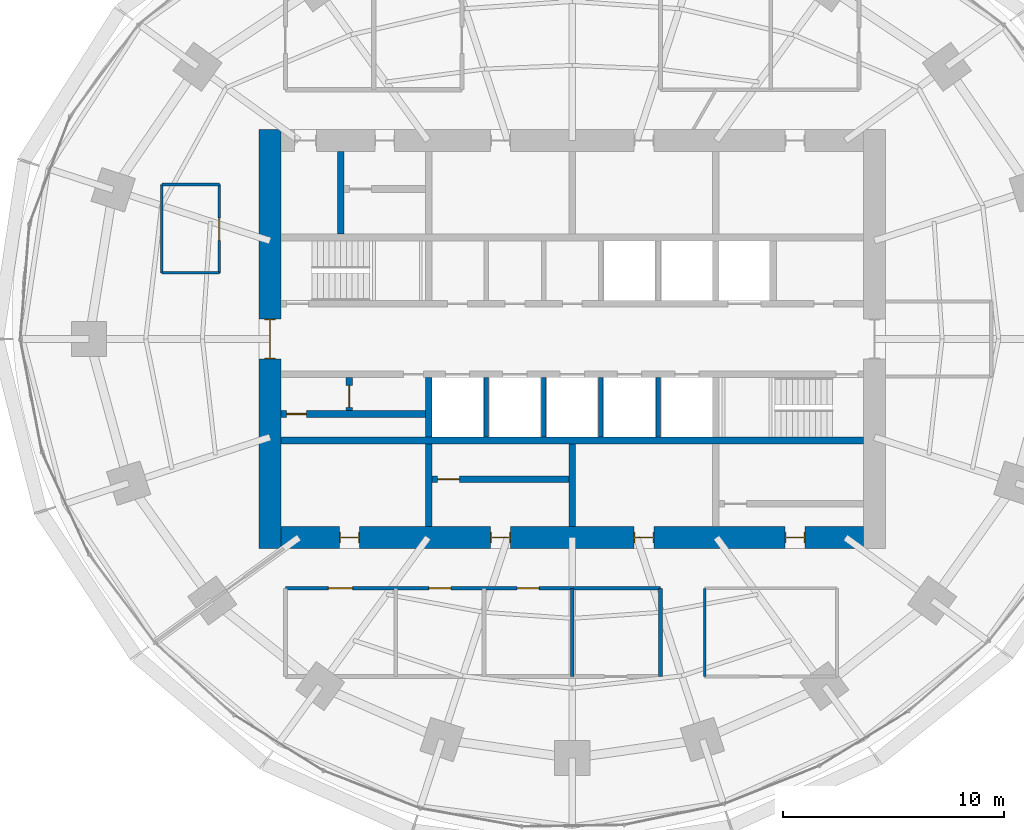
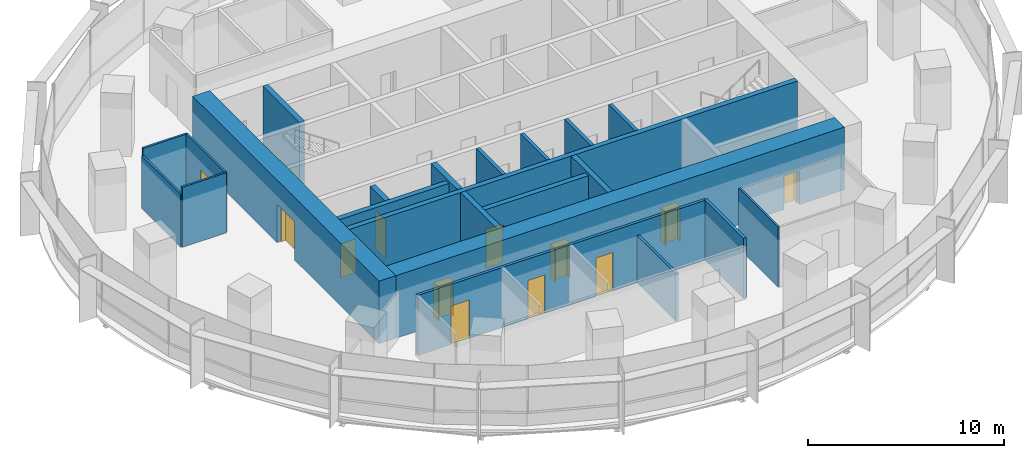
# One storey, part 10 of 14: 22 walls, 12 doors, 12 openings.
"""IFC4 building model written with IfcOpenShell, lengths in metres."""

import ifcopenshell
import ifcopenshell.guid

model = None  # the IFC model being written
_history = None  # IfcOwnerHistory: only IFC2X3 demands one
_inside = {}  # id of a spatial element -> (the spatial element, [elements in it])
_under = {}  # id of a project, library or spatial element -> (it, [spatial elements below it])
_declared = {}  # id of a project -> (the project, [libraries it declares])
_typed = {}  # id of a type object -> (the type object, [elements of that type])
_made_of = {}  # id of a material, layer set ... -> (it, [elements and type objects made of it])


def new_model(schema):
    """Start an empty IFC model of exactly this schema.

    Asked for "IFC4X3", IfcOpenShell would pick the latest addendum, in which some entities
    have other attributes; the version numbers below select the first issue.
    IFC2X3 requires an IfcOwnerHistory on every rooted entity: one is made here for all.
    """
    global model, _history
    if schema == "IFC4X3":
        model = ifcopenshell.file(schema_version=(4, 3, 0, 0))
    else:
        model = ifcopenshell.file(schema=schema)
    _inside.clear()
    _under.clear()
    _declared.clear()
    _typed.clear()
    _made_of.clear()
    _history = None
    if model.schema == "IFC2X3":
        org = make("IfcOrganization", Name="unknown")
        user = make(
            "IfcPersonAndOrganization",
            ThePerson=make("IfcPerson", FamilyName="unknown"),
            TheOrganization=org,
        )
        app = make(
            "IfcApplication",
            ApplicationDeveloper=org,
            Version="unknown",
            ApplicationFullName="unknown",
            ApplicationIdentifier="unknown",
        )
        _history = make(
            "IfcOwnerHistory",
            OwningUser=user,
            OwningApplication=app,
            ChangeAction="ADDED",
            CreationDate=0,
        )
    return model


def make(cls, **values):
    """One entity of the class cls with the attributes given. An attribute that is None is left unset."""
    return model.create_entity(
        cls, **{name: value for name, value in values.items() if value is not None}
    )


def rooted(cls, **values):
    """An entity with a GlobalId (a new one), such as an element, a storey or a relation."""
    return make(cls, GlobalId=ifcopenshell.guid.new(), OwnerHistory=_history, **values)


def si_unit(unit_type, name, prefix=None):
    """IfcSIUnit, for example si_unit("LENGTHUNIT", "METRE", prefix="MILLI")."""
    return make("IfcSIUnit", UnitType=unit_type, Prefix=prefix, Name=name)


def assignment(units):
    """IfcUnitAssignment: the units of a project."""
    return None if units is None else make("IfcUnitAssignment", Units=units)


def point(xyz):
    """IfcCartesianPoint."""
    return None if xyz is None else make("IfcCartesianPoint", Coordinates=xyz)


def direction(xyz):
    """IfcDirection."""
    return None if xyz is None else make("IfcDirection", DirectionRatios=xyz)


def frame(location, z_axis=None, x_axis=None):
    """IfcAxis2Placement3D, a coordinate frame: its origin and axes. An axis left out is left unset."""
    return make(
        "IfcAxis2Placement3D",
        Location=point(location),
        Axis=direction(z_axis),
        RefDirection=direction(x_axis),
    )


def frame_2d(location, x_axis=None):
    """IfcAxis2Placement2D, a coordinate frame in the plane: its origin and x axis."""
    return make(
        "IfcAxis2Placement2D", Location=point(location), RefDirection=direction(x_axis)
    )


def origin():
    """The frame at (0, 0, 0) with its axes left unset."""
    return frame((0.0, 0.0, 0.0))


def place(relative_to, where):
    """IfcLocalPlacement: puts the frame where relative to a parent placement (None: the world)."""
    return make(
        "IfcLocalPlacement", PlacementRelTo=relative_to, RelativePlacement=where
    )


def context(
    kind, dimensions, precision=None, world=None, true_north=None, identifier=None
):
    """IfcGeometricRepresentationContext, for example the 3D "Model" context."""
    return make(
        "IfcGeometricRepresentationContext",
        ContextIdentifier=identifier,
        ContextType=kind,
        CoordinateSpaceDimension=dimensions,
        Precision=precision,
        WorldCoordinateSystem=world,
        TrueNorth=true_north,
    )


def subcontext(parent, identifier, kind, view, scale=None):
    """IfcGeometricRepresentationSubContext, for example "Body" below "Model"."""
    return make(
        "IfcGeometricRepresentationSubContext",
        ContextIdentifier=identifier,
        ContextType=kind,
        ParentContext=parent,
        TargetScale=scale,
        TargetView=view,
    )


def project(units=None, contexts=None):
    """IfcProject with its units and contexts."""
    return rooted(
        "IfcProject",
        Name="project",
        RepresentationContexts=contexts,
        UnitsInContext=assignment(units),
    )


def spatial(cls, under=None, at=None, **own):
    """A site, building, storey or space (cls), placed at a placement, below another one or the project."""
    s = rooted(cls, ObjectPlacement=at, **own)
    if under is not None:
        _under.setdefault(under.id(), (under, []))[1].append(s)
    return s


def profile(cls, at=None, kind="AREA", **sizes):
    """A parametric profile (cls). Its sizes go by their IFC names, for example OverallWidth=200.0."""
    return make(cls, ProfileType=kind, Position=at, **sizes)


def rectangle(**sizes):
    """IfcRectangleProfileDef."""
    return profile("IfcRectangleProfileDef", **sizes)


def extrude(swept, where, along, depth):
    """IfcExtrudedAreaSolid: the profile swept, set in the frame where, extruded along a direction by depth."""
    return make(
        "IfcExtrudedAreaSolid",
        SweptArea=swept,
        Position=where,
        ExtrudedDirection=direction(along),
        Depth=depth,
    )


def shape(context_of_items, identifier, shape_type, items):
    """IfcShapeRepresentation: the items that make up one representation, for example the "Body"."""
    return make(
        "IfcShapeRepresentation",
        ContextOfItems=context_of_items,
        RepresentationIdentifier=identifier,
        RepresentationType=shape_type,
        Items=items,
    )


def material(Name=None, Category=None):
    """IfcMaterial."""
    return make("IfcMaterial", Name=Name, Category=Category)


def layer(
    of_material, thickness, ventilated=None, Name=None, Category=None, Priority=None
):
    """IfcMaterialLayer: one layer of a wall or slab, of a material (None: an air gap)."""
    return make(
        "IfcMaterialLayer",
        Material=of_material,
        LayerThickness=thickness,
        IsVentilated=ventilated,
        Name=Name,
        Category=Category,
        Priority=Priority,
    )


def layer_set(layers, Name=None):
    """IfcMaterialLayerSet."""
    return make("IfcMaterialLayerSet", MaterialLayers=layers, LayerSetName=Name)


def made_of(thing, what):
    """Note that an element or type object is made of a material, layer set ...; save() writes the relation."""
    if what is not None:
        _made_of.setdefault(what.id(), (what, []))[1].append(thing)
    return thing


def type_object(cls, material=None, **own):
    """A type object (cls), such as IfcWallType, which elements share."""
    return made_of(rooted(cls, **own), material)


def element(
    cls,
    number,
    at=None,
    inside=None,
    cuts=None,
    type_object=None,
    material=None,
    context=None,
    identifier="Body",
    shape_type=None,
    held_by="IfcProductDefinitionShape",
    body=None,
    shapes=None,
    **own,
):
    """One element of the class cls, such as IfcWall. Its Tag is "e" and its number.

    at: its placement. inside: the storey or other place that contains it. cuts: it is an
    opening in that element (IfcRelVoidsElement). A single representation is given by context,
    identifier, shape_type and body (its items); several are given by shapes. held_by: the class
    of the entity that holds the representations. save() writes the other relations.
    """
    e = rooted(cls, Tag="e%d" % number, ObjectPlacement=at, **own)
    if body is not None:
        shapes = [shape(context, identifier, shape_type, body)]
    if shapes is not None:
        e.Representation = make(held_by, Representations=shapes)
    if inside is not None:
        _inside.setdefault(inside.id(), (inside, []))[1].append(e)
    if cuts is not None:
        rooted(
            "IfcRelVoidsElement", RelatingBuildingElement=cuts, RelatedOpeningElement=e
        )
    if type_object is not None:
        _typed.setdefault(type_object.id(), (type_object, []))[1].append(e)
    return made_of(e, material)


def fill(opening, filler):
    """IfcRelFillsElement: the door or window that sits in an opening."""
    return rooted(
        "IfcRelFillsElement",
        RelatingOpeningElement=opening,
        RelatedBuildingElement=filler,
    )


def aggregate(whole, parts):
    """IfcRelAggregates: a whole, such as a stair, and the parts it consists of."""
    return rooted("IfcRelAggregates", RelatingObject=whole, RelatedObjects=parts)


def save(model, path):
    """Write the relations noted so far, then the file.

    IfcRelAggregates (storeys below a building ...), IfcRelContainedInSpatialStructure (elements
    in a storey), IfcRelDefinesByType, IfcRelAssociatesMaterial and IfcRelDeclares: one each for
    every whole, place, type object, material and project.
    """
    for whole, parts in _under.values():
        aggregate(whole, parts)
    for where, things in _inside.values():
        rooted(
            "IfcRelContainedInSpatialStructure",
            RelatedElements=things,
            RelatingStructure=where,
        )
    for kind, things in _typed.values():
        rooted("IfcRelDefinesByType", RelatedObjects=things, RelatingType=kind)
    for what, things in _made_of.values():
        rooted("IfcRelAssociatesMaterial", RelatedObjects=things, RelatingMaterial=what)
    for by, libraries in _declared.values():
        rooted("IfcRelDeclares", RelatingContext=by, RelatedDefinitions=libraries)
    model.write(path)


model = new_model("IFC4")

# Units and contexts
model_context = context("Model", 3, precision=1e-05, world=origin(), true_north=direction((0.0, 1.0)))
body_context = subcontext(model_context, "Body", "Model", "MODEL_VIEW")
ifc_project = project(units=[si_unit("LENGTHUNIT", "METRE"), si_unit("AREAUNIT", "SQUARE_METRE"), si_unit("VOLUMEUNIT", "CUBIC_METRE"), si_unit("PLANEANGLEUNIT", "RADIAN"), si_unit("MASSUNIT", "GRAM", prefix="KILO")], contexts=[model_context])

# Site, building, storey
site_placement = place(None, origin())
site = spatial("IfcSite", under=ifc_project, at=site_placement, CompositionType="ELEMENT")
building_placement = place(site_placement, origin())
building = spatial("IfcBuilding", under=site, at=building_placement, Name="Marramba Exchange Tower", CompositionType="ELEMENT")
storey_placement = place(building_placement, frame((0.0, 0.0, 143.10009765625)))
storey = spatial("IfcBuildingStorey", under=building, at=storey_placement, Name="L34", CompositionType="ELEMENT", Elevation=143.10009765625)

# Wall, openings, doors
ifc_material_1 = material(Name="Plasterboard on staggered double steel studs, acoustic insulation", Category="steel")
ifc_layer_1 = layer(ifc_material_1, 0.169921875)
ifc_layer_set_1 = layer_set([ifc_layer_1], Name="Acoustic partition 170")
wall_type_1 = type_object("IfcWallType", Name="Acoustic partition 170", PredefinedType="PARTITIONING", material=ifc_layer_set_1)
wall_1_placement = place(storey_placement, frame((-13.0, -11.300048828125, 0.0), z_axis=(0.0, 0.0, 1.0), x_axis=(1.0, 0.0, 0.0)))
wall_1 = element("IfcWall", 1, at=wall_1_placement, inside=storey, type_object=wall_type_1, Name="Acoustic partition L34 04", PredefinedType="PARTITIONING", context=body_context, shape_type="SweptSolid", body=[
    extrude(rectangle(XDim=17.0, YDim=0.169921875, at=frame_2d((8.5, 0.0))), origin(), (0.0, 0.0, 1.0), 3.739990234375),
])
opening_1_placement = place(wall_1_placement, frame((1.949951171875, 0.0, 0.0)))
opening_1 = element("IfcOpeningElement", 2, at=opening_1_placement, cuts=wall_1, Name="Opening D15", PredefinedType="OPENING", context=body_context, shape_type="SweptSolid", body=[
    extrude(rectangle(XDim=1.10009765625, YDim=2.39990234375, at=frame_2d((0.550048828125, 1.199951171875))), frame((0.0, 0.094970703125, 0.0), z_axis=(0.0, -1.0, 0.0), x_axis=(1.0, 0.0, 0.0)), (0.0, 0.0, 1.0), 0.18994140625),
])
opening_2_placement = place(wall_1_placement, frame((6.5, 0.0, 0.0)))
opening_2 = element("IfcOpeningElement", 3, at=opening_2_placement, cuts=wall_1, Name="Opening D9", PredefinedType="OPENING", context=body_context, shape_type="SweptSolid", body=[
    extrude(rectangle(XDim=1.0, YDim=2.39990234375, at=frame_2d((0.5, 1.199951171875))), frame((0.0, 0.094970703125, 0.0), z_axis=(0.0, -1.0, 0.0), x_axis=(1.0, 0.0, 0.0)), (0.0, 0.0, 1.0), 0.18994140625),
])
opening_3_placement = place(wall_1_placement, frame((10.5, 0.0, 0.0)))
opening_3 = element("IfcOpeningElement", 4, at=opening_3_placement, cuts=wall_1, Name="Opening D9", PredefinedType="OPENING", context=body_context, shape_type="SweptSolid", body=[
    extrude(rectangle(XDim=1.0, YDim=2.39990234375, at=frame_2d((0.5, 1.199951171875))), frame((0.0, 0.094970703125, 0.0), z_axis=(0.0, -1.0, 0.0), x_axis=(1.0, 0.0, 0.0)), (0.0, 0.0, 1.0), 0.18994140625),
])
ifc_material_2 = material(Name="Timber door", Category="wood")
door_type_1 = type_object("IfcDoorType", Name="Glazed meeting room door 1100x2400", OperationType="SINGLE_SWING_LEFT", PredefinedType="DOOR", material=ifc_material_2)
door_1_placement = place(opening_1_placement, frame((1.10009765625, 0.0, 0.0), z_axis=(0.0, 0.0, 1.0), x_axis=(-1.0, 0.0, 0.0)))
door_1 = element("IfcDoor", 5, at=door_1_placement, inside=storey, type_object=door_type_1, Name="D15 Meeting Room 3 L34", OperationType="SINGLE_SWING_RIGHT", OverallHeight=2.39990234375, OverallWidth=1.10009765625, PredefinedType="DOOR", context=body_context, shape_type="SweptSolid", body=[
    extrude(rectangle(XDim=1.10009765625, YDim=2.39990234375, at=frame_2d((0.550048828125, 1.199951171875))), frame((0.0, 0.025146484375, 0.0), z_axis=(0.0, -1.0, 0.0), x_axis=(1.0, 0.0, 0.0)), (0.0, 0.0, 1.0), 0.050048828125),
])
fill(opening_1, door_1)
door_type_2 = type_object("IfcDoorType", Name="Room door 1000x2400", OperationType="SINGLE_SWING_LEFT", PredefinedType="DOOR", material=ifc_material_2)
door_2_placement = place(opening_2_placement, frame((1.0, 0.0, 0.0), z_axis=(0.0, 0.0, 1.0), x_axis=(-1.0, 0.0, 0.0)))
door_2 = element("IfcDoor", 6, at=door_2_placement, inside=storey, type_object=door_type_2, Name="D9 Quiet Room 1 L34", OperationType="SINGLE_SWING_RIGHT", OverallHeight=2.39990234375, OverallWidth=1.0, PredefinedType="DOOR", context=body_context, shape_type="SweptSolid", body=[
    extrude(rectangle(XDim=1.0, YDim=2.39990234375, at=frame_2d((0.5, 1.199951171875))), frame((0.0, 0.025146484375, 0.0), z_axis=(0.0, -1.0, 0.0), x_axis=(1.0, 0.0, 0.0)), (0.0, 0.0, 1.0), 0.050048828125),
])
fill(opening_2, door_2)
door_3_placement = place(opening_3_placement, frame((1.0, 0.0, 0.0), z_axis=(0.0, 0.0, 1.0), x_axis=(-1.0, 0.0, 0.0)))
door_3 = element("IfcDoor", 7, at=door_3_placement, inside=storey, type_object=door_type_2, Name="D9 Quiet Room 2 L34", OperationType="SINGLE_SWING_RIGHT", OverallHeight=2.39990234375, OverallWidth=1.0, PredefinedType="DOOR", context=body_context, shape_type="SweptSolid", body=[
    extrude(rectangle(XDim=1.0, YDim=2.39990234375, at=frame_2d((0.5, 1.199951171875))), frame((0.0, 0.025146484375, 0.0), z_axis=(0.0, -1.0, 0.0), x_axis=(1.0, 0.0, 0.0)), (0.0, 0.0, 1.0), 0.050048828125),
])
fill(opening_3, door_3)

# Walls
wall_2_placement = place(storey_placement, frame((0.0, -11.300048828125, 0.0), z_axis=(0.0, 0.0, 1.0), x_axis=(0.0, -1.0, 0.0)))
element("IfcWall", 8, at=wall_2_placement, inside=storey, type_object=wall_type_1, Name="Acoustic partition L34 07", PredefinedType="PARTITIONING", context=body_context, shape_type="SweptSolid", body=[
    extrude(rectangle(XDim=4.0, YDim=0.169921875, at=frame_2d((2.0, 0.0))), origin(), (0.0, 0.0, 1.0), 2.93994140625),
])
wall_3_placement = place(storey_placement, frame((4.0, -11.300048828125, 0.0), z_axis=(0.0, 0.0, 1.0), x_axis=(0.0, -1.0, 0.0)))
element("IfcWall", 9, at=wall_3_placement, inside=storey, type_object=wall_type_1, Name="Acoustic partition L34 08", PredefinedType="PARTITIONING", context=body_context, shape_type="SweptSolid", body=[
    extrude(rectangle(XDim=4.0, YDim=0.169921875, at=frame_2d((2.0, 0.0))), origin(), (0.0, 0.0, 1.0), 3.739990234375),
])
ifc_material_3 = material(Name="Concrete N50", Category="concrete")
ifc_layer_2 = layer(ifc_material_3, 0.199951171875)
ifc_layer_set_2 = layer_set([ifc_layer_2], Name="Core shaft wall 200")
wall_type_2 = type_object("IfcWallType", Name="Core shaft wall 200", PredefinedType="SHEAR", material=ifc_layer_set_2)
for number, where, z_axis, x_axis, name in (
    (10, (-3.89990234375, -1.75, 0.0), (0.0, 0.0, 1.0), (0.0, -1.0, 0.0), "Core wall SHS1 L34"),
    (11, (-1.300048828125, -1.75, 0.0), (0.0, 0.0, 1.0), (0.0, -1.0, 0.0), "Core wall SHS2 L34"),
    (12, (1.300048828125, -1.75, 0.0), (0.0, 0.0, 1.0), (0.0, -1.0, 0.0), "Core wall SHS3 L34"),
    (13, (3.89990234375, -1.75, 0.0), (0.0, 0.0, 1.0), (0.0, -1.0, 0.0), "Core wall SHS4 L34"),
):
    element("IfcWall", number, at=place(storey_placement, frame(where, z_axis=z_axis, x_axis=x_axis)), inside=storey, type_object=wall_type_2, Name=name, PredefinedType="SHEAR", context=body_context, shape_type="SweptSolid", body=[
        extrude(rectangle(XDim=2.699951171875, YDim=0.199951171875, at=frame_2d((1.35009765625, 0.0))), origin(), (0.0, 0.0, 1.0), 3.89990234375),
    ])

# Wall, openings, doors
ifc_layer_3 = layer(ifc_material_3, 1.0)
ifc_layer_set_3 = layer_set([ifc_layer_3], Name="Core wall 1000")
wall_type_3 = type_object("IfcWallType", Name="Core wall 1000", PredefinedType="SHEAR", material=ifc_layer_set_3)
wall_4_placement = place(storey_placement, frame((-13.199951171875, -9.0, 0.0), z_axis=(0.0, 0.0, 1.0), x_axis=(1.0, 0.0, 0.0)))
wall_4 = element("IfcWall", 14, at=wall_4_placement, inside=storey, type_object=wall_type_3, Name="Core wall S L34", PredefinedType="SHEAR", context=body_context, shape_type="SweptSolid", body=[
    extrude(rectangle(XDim=26.39990234375, YDim=1.0, at=frame_2d((13.199951171875, 0.0))), origin(), (0.0, 0.0, 1.0), 3.89990234375),
])
opening_4_placement = place(wall_4_placement, frame((2.64990234375, 0.0, 0.0)))
opening_4 = element("IfcOpeningElement", 15, at=opening_4_placement, cuts=wall_4, Name="Opening D5", PredefinedType="OPENING", context=body_context, shape_type="SweptSolid", body=[
    extrude(rectangle(XDim=0.89990234375, YDim=2.10009765625, at=frame_2d((0.449951171875, 1.050048828125))), frame((0.0, 0.510009765625, 0.0), z_axis=(0.0, -1.0, 0.0), x_axis=(1.0, 0.0, 0.0)), (0.0, 0.0, 1.0), 1.02001953125),
])
opening_5_placement = place(wall_4_placement, frame((9.5, 0.0, 0.0)))
opening_5 = element("IfcOpeningElement", 16, at=opening_5_placement, cuts=wall_4, Name="Opening D5", PredefinedType="OPENING", context=body_context, shape_type="SweptSolid", body=[
    extrude(rectangle(XDim=0.89990234375, YDim=2.10009765625, at=frame_2d((0.449951171875, 1.050048828125))), frame((0.0, 0.510009765625, 0.0), z_axis=(0.0, -1.0, 0.0), x_axis=(1.0, 0.0, 0.0)), (0.0, 0.0, 1.0), 1.02001953125),
])
opening_6_placement = place(wall_4_placement, frame((16.0, 0.0, 0.0)))
opening_6 = element("IfcOpeningElement", 17, at=opening_6_placement, cuts=wall_4, Name="Opening D5", PredefinedType="OPENING", context=body_context, shape_type="SweptSolid", body=[
    extrude(rectangle(XDim=0.89990234375, YDim=2.10009765625, at=frame_2d((0.449951171875, 1.050048828125))), frame((0.0, 0.510009765625, 0.0), z_axis=(0.0, -1.0, 0.0), x_axis=(1.0, 0.0, 0.0)), (0.0, 0.0, 1.0), 1.02001953125),
])
opening_7_placement = place(wall_4_placement, frame((22.85009765625, 0.0, 0.0)))
opening_7 = element("IfcOpeningElement", 18, at=opening_7_placement, cuts=wall_4, Name="Opening D5", PredefinedType="OPENING", context=body_context, shape_type="SweptSolid", body=[
    extrude(rectangle(XDim=0.89990234375, YDim=2.10009765625, at=frame_2d((0.449951171875, 1.050048828125))), frame((0.0, 0.510009765625, 0.0), z_axis=(0.0, -1.0, 0.0), x_axis=(1.0, 0.0, 0.0)), (0.0, 0.0, 1.0), 1.02001953125),
])
ifc_material_4 = material(Name="Steel-framed door", Category="steel")
door_type_3 = type_object("IfcDoorType", Name="Service door 900x2100", OperationType="SINGLE_SWING_LEFT", PredefinedType="DOOR", material=ifc_material_4)
door_4_placement = place(opening_4_placement, origin())
door_4 = element("IfcDoor", 19, at=door_4_placement, inside=storey, type_object=door_type_3, Name="D5 ahu L34", OperationType="SINGLE_SWING_LEFT", OverallHeight=2.10009765625, OverallWidth=0.89990234375, PredefinedType="DOOR", context=body_context, shape_type="SweptSolid", body=[
    extrude(rectangle(XDim=0.81982421875, YDim=2.06005859375, at=frame_2d((0.449951171875, 1.030029296875))), frame((0.0, 0.02490234375, 0.0), z_axis=(0.0, -1.0, 0.0), x_axis=(1.0, 0.0, 0.0)), (0.0, 0.0, 1.0), 0.050048828125),
    extrude(rectangle(XDim=0.04, YDim=2.10009765625, at=frame_2d((0.02001953125, 1.050048828125))), frame((0.0, 0.25, 0.0), z_axis=(0.0, -1.0, 0.0), x_axis=(1.0, 0.0, 0.0)), (0.0, 0.0, 1.0), 0.5),
    extrude(rectangle(XDim=0.04, YDim=2.10009765625, at=frame_2d((0.8798828125, 1.050048828125))), frame((0.0, 0.25, 0.0), z_axis=(0.0, -1.0, 0.0), x_axis=(1.0, 0.0, 0.0)), (0.0, 0.0, 1.0), 0.5),
    extrude(rectangle(XDim=0.81982421875, YDim=0.04, at=frame_2d((0.449951171875, 2.080078125))), frame((0.0, 0.25, 0.0), z_axis=(0.0, -1.0, 0.0), x_axis=(1.0, 0.0, 0.0)), (0.0, 0.0, 1.0), 0.5),
])
fill(opening_4, door_4)
door_5_placement = place(opening_5_placement, origin())
door_5 = element("IfcDoor", 20, at=door_5_placement, inside=storey, type_object=door_type_3, Name="D5 store L34", OperationType="SINGLE_SWING_RIGHT", OverallHeight=2.10009765625, OverallWidth=0.89990234375, PredefinedType="DOOR", context=body_context, shape_type="SweptSolid", body=[
    extrude(rectangle(XDim=0.81982421875, YDim=2.06005859375, at=frame_2d((0.449951171875, 1.030029296875))), frame((0.0, 0.02490234375, 0.0), z_axis=(0.0, -1.0, 0.0), x_axis=(1.0, 0.0, 0.0)), (0.0, 0.0, 1.0), 0.050048828125),
    extrude(rectangle(XDim=0.04, YDim=2.10009765625, at=frame_2d((0.02001953125, 1.050048828125))), frame((0.0, 0.25, 0.0), z_axis=(0.0, -1.0, 0.0), x_axis=(1.0, 0.0, 0.0)), (0.0, 0.0, 1.0), 0.5),
    extrude(rectangle(XDim=0.04, YDim=2.10009765625, at=frame_2d((0.8798828125, 1.050048828125))), frame((0.0, 0.25, 0.0), z_axis=(0.0, -1.0, 0.0), x_axis=(1.0, 0.0, 0.0)), (0.0, 0.0, 1.0), 0.5),
    extrude(rectangle(XDim=0.81982421875, YDim=0.04, at=frame_2d((0.449951171875, 2.080078125))), frame((0.0, 0.25, 0.0), z_axis=(0.0, -1.0, 0.0), x_axis=(1.0, 0.0, 0.0)), (0.0, 0.0, 1.0), 0.5),
])
fill(opening_5, door_5)
door_6_placement = place(opening_6_placement, origin())
door_6 = element("IfcDoor", 21, at=door_6_placement, inside=storey, type_object=door_type_3, Name="D5 switch L34", OperationType="SINGLE_SWING_RIGHT", OverallHeight=2.10009765625, OverallWidth=0.89990234375, PredefinedType="DOOR", context=body_context, shape_type="SweptSolid", body=[
    extrude(rectangle(XDim=0.81982421875, YDim=2.06005859375, at=frame_2d((0.449951171875, 1.030029296875))), frame((0.0, 0.02490234375, 0.0), z_axis=(0.0, -1.0, 0.0), x_axis=(1.0, 0.0, 0.0)), (0.0, 0.0, 1.0), 0.050048828125),
    extrude(rectangle(XDim=0.04, YDim=2.10009765625, at=frame_2d((0.02001953125, 1.050048828125))), frame((0.0, 0.25, 0.0), z_axis=(0.0, -1.0, 0.0), x_axis=(1.0, 0.0, 0.0)), (0.0, 0.0, 1.0), 0.5),
    extrude(rectangle(XDim=0.04, YDim=2.10009765625, at=frame_2d((0.8798828125, 1.050048828125))), frame((0.0, 0.25, 0.0), z_axis=(0.0, -1.0, 0.0), x_axis=(1.0, 0.0, 0.0)), (0.0, 0.0, 1.0), 0.5),
    extrude(rectangle(XDim=0.81982421875, YDim=0.04, at=frame_2d((0.449951171875, 2.080078125))), frame((0.0, 0.25, 0.0), z_axis=(0.0, -1.0, 0.0), x_axis=(1.0, 0.0, 0.0)), (0.0, 0.0, 1.0), 0.5),
])
fill(opening_6, door_6)
door_7_placement = place(opening_7_placement, origin())
door_7 = element("IfcDoor", 22, at=door_7_placement, inside=storey, type_object=door_type_3, Name="D5 cstore L34", OperationType="SINGLE_SWING_RIGHT", OverallHeight=2.10009765625, OverallWidth=0.89990234375, PredefinedType="DOOR", context=body_context, shape_type="SweptSolid", body=[
    extrude(rectangle(XDim=0.81982421875, YDim=2.06005859375, at=frame_2d((0.449951171875, 1.030029296875))), frame((0.0, 0.02490234375, 0.0), z_axis=(0.0, -1.0, 0.0), x_axis=(1.0, 0.0, 0.0)), (0.0, 0.0, 1.0), 0.050048828125),
    extrude(rectangle(XDim=0.04, YDim=2.10009765625, at=frame_2d((0.02001953125, 1.050048828125))), frame((0.0, 0.25, 0.0), z_axis=(0.0, -1.0, 0.0), x_axis=(1.0, 0.0, 0.0)), (0.0, 0.0, 1.0), 0.5),
    extrude(rectangle(XDim=0.04, YDim=2.10009765625, at=frame_2d((0.8798828125, 1.050048828125))), frame((0.0, 0.25, 0.0), z_axis=(0.0, -1.0, 0.0), x_axis=(1.0, 0.0, 0.0)), (0.0, 0.0, 1.0), 0.5),
    extrude(rectangle(XDim=0.81982421875, YDim=0.04, at=frame_2d((0.449951171875, 2.080078125))), frame((0.0, 0.25, 0.0), z_axis=(0.0, -1.0, 0.0), x_axis=(1.0, 0.0, 0.0)), (0.0, 0.0, 1.0), 0.5),
])
fill(opening_7, door_7)

# Wall, opening, door
wall_5_placement = place(storey_placement, frame((-13.699951171875, 9.5, 0.0), z_axis=(0.0, 0.0, 1.0), x_axis=(0.0, -1.0, 0.0)))
wall_5 = element("IfcWall", 23, at=wall_5_placement, inside=storey, type_object=wall_type_3, Name="Core wall W L34", PredefinedType="SHEAR", context=body_context, shape_type="SweptSolid", body=[
    extrude(rectangle(XDim=19.0, YDim=1.0, at=frame_2d((9.5, 0.0))), origin(), (0.0, 0.0, 1.0), 3.89990234375),
])
opening_8_placement = place(wall_5_placement, frame((8.60009765625, 0.0, 0.0)))
opening_8 = element("IfcOpeningElement", 24, at=opening_8_placement, cuts=wall_5, Name="Opening D1", PredefinedType="OPENING", context=body_context, shape_type="SweptSolid", body=[
    extrude(rectangle(XDim=1.800048828125, YDim=2.39990234375, at=frame_2d((0.89990234375, 1.199951171875))), frame((0.0, 0.510009765625, 0.0), z_axis=(0.0, -1.0, 0.0), x_axis=(1.0, 0.0, 0.0)), (0.0, 0.0, 1.0), 1.02001953125),
])
door_type_4 = type_object("IfcDoorType", Name="Lobby exit door 1800x2400", OperationType="DOUBLE_DOOR_SINGLE_SWING", PredefinedType="DOOR", material=ifc_material_4)
door_8_placement = place(opening_8_placement, origin())
door_8 = element("IfcDoor", 25, at=door_8_placement, inside=storey, type_object=door_type_4, Name="D1 lobby exit west L34", OperationType="DOUBLE_DOOR_SINGLE_SWING", OverallHeight=2.39990234375, OverallWidth=1.800048828125, PredefinedType="DOOR", context=body_context, shape_type="SweptSolid", body=[
    extrude(rectangle(XDim=1.719970703125, YDim=2.35986328125, at=frame_2d((0.89990234375, 1.179931640625))), frame((0.0, 0.02490234375, 0.0), z_axis=(0.0, -1.0, 0.0), x_axis=(1.0, 0.0, 0.0)), (0.0, 0.0, 1.0), 0.050048828125),
    extrude(rectangle(XDim=0.04, YDim=2.39990234375, at=frame_2d((0.02001953125, 1.199951171875))), frame((0.0, 0.25, 0.0), z_axis=(0.0, -1.0, 0.0), x_axis=(1.0, 0.0, 0.0)), (0.0, 0.0, 1.0), 0.5),
    extrude(rectangle(XDim=0.04, YDim=2.39990234375, at=frame_2d((1.780029296875, 1.199951171875))), frame((0.0, 0.25, 0.0), z_axis=(0.0, -1.0, 0.0), x_axis=(1.0, 0.0, 0.0)), (0.0, 0.0, 1.0), 0.5),
    extrude(rectangle(XDim=1.719970703125, YDim=0.04, at=frame_2d((0.89990234375, 2.3798828125))), frame((0.0, 0.25, 0.0), z_axis=(0.0, -1.0, 0.0), x_axis=(1.0, 0.0, 0.0)), (0.0, 0.0, 1.0), 0.5),
])
fill(opening_8, door_8)

# Walls
ifc_layer_4 = layer(ifc_material_3, 0.300048828125)
ifc_layer_set_4 = layer_set([ifc_layer_4], Name="Core wall 300")
wall_type_4 = type_object("IfcWallType", Name="Core wall 300", PredefinedType="SHEAR", material=ifc_layer_set_4)
wall_6_placement = place(storey_placement, frame((-13.199951171875, -4.60009765625, 0.0), z_axis=(0.0, 0.0, 1.0), x_axis=(1.0, 0.0, 0.0)))
element("IfcWall", 26, at=wall_6_placement, inside=storey, type_object=wall_type_4, Name="Core wall BS L34", PredefinedType="SHEAR", context=body_context, shape_type="SweptSolid", body=[
    extrude(rectangle(XDim=26.39990234375, YDim=0.300048828125, at=frame_2d((13.199951171875, 0.0))), origin(), (0.0, 0.0, 1.0), 3.89990234375),
])
wall_7_placement = place(storey_placement, frame((-6.5, -1.75, 0.0), z_axis=(0.0, 0.0, 1.0), x_axis=(0.0, -1.0, 0.0)))
element("IfcWall", 27, at=wall_7_placement, inside=storey, type_object=wall_type_4, Name="Core wall X0Sa L34", PredefinedType="SHEAR", context=body_context, shape_type="SweptSolid", body=[
    extrude(rectangle(XDim=2.699951171875, YDim=0.300048828125, at=frame_2d((1.35009765625, 0.0))), origin(), (0.0, 0.0, 1.0), 3.89990234375),
])
for number, where, z_axis, x_axis, name in (
    (28, (-6.5, -4.75, 0.0), (0.0, 0.0, 1.0), (0.0, -1.0, 0.0), "Core wall X0Sb L34"),
    (29, (0.0, -4.75, 0.0), (0.0, 0.0, 1.0), (0.0, -1.0, 0.0), "Core wall MS L34"),
    (30, (-10.5, 4.75, 0.0), (0.0, 0.0, 1.0), (0.0, 1.0, 0.0), "Core wall WD L34"),
):
    element("IfcWall", number, at=place(storey_placement, frame(where, z_axis=z_axis, x_axis=x_axis)), inside=storey, type_object=wall_type_4, Name=name, PredefinedType="SHEAR", context=body_context, shape_type="SweptSolid", body=[
        extrude(rectangle(XDim=3.75, YDim=0.300048828125, at=frame_2d((1.875, 0.0))), origin(), (0.0, 0.0, 1.0), 3.89990234375),
    ])
ifc_material_5 = material(Name="Plasterboard on steel studs", Category="steel")
ifc_layer_5 = layer(ifc_material_5, 0.1201171875)
ifc_layer_set_5 = layer_set([ifc_layer_5], Name="Partition 120")
wall_type_5 = type_object("IfcWallType", Name="Partition 120", PredefinedType="PARTITIONING", material=ifc_layer_set_5)
wall_8_placement = place(storey_placement, frame((6.0, -15.300048828125, 0.0), z_axis=(0.0, 0.0, 1.0), x_axis=(0.0, 1.0, 0.0)))
element("IfcWall", 31, at=wall_8_placement, inside=storey, type_object=wall_type_5, Name="Partition L34 09", PredefinedType="PARTITIONING", context=body_context, shape_type="SweptSolid", body=[
    extrude(rectangle(XDim=4.0, YDim=0.1201171875, at=frame_2d((2.0, 0.0))), origin(), (0.0, 0.0, 1.0), 3.739990234375),
])
wall_9_placement = place(storey_placement, frame((-18.60009765625, 7.0, 0.0), z_axis=(0.0, 0.0, 1.0), x_axis=(1.0, 0.0, 0.0)))
element("IfcWall", 32, at=wall_9_placement, inside=storey, type_object=wall_type_5, Name="Partition L34 28", PredefinedType="PARTITIONING", context=body_context, shape_type="SweptSolid", body=[
    extrude(rectangle(XDim=2.60009765625, YDim=0.1201171875, at=frame_2d((1.300048828125, 0.0))), origin(), (0.0, 0.0, 1.0), 3.739990234375),
])

# Wall, opening, door
wall_10_placement = place(storey_placement, frame((-16.0, 7.0, 0.0), z_axis=(0.0, 0.0, 1.0), x_axis=(0.0, -1.0, 0.0)))
wall_10 = element("IfcWall", 33, at=wall_10_placement, inside=storey, type_object=wall_type_5, Name="Partition L34 29", PredefinedType="PARTITIONING", context=body_context, shape_type="SweptSolid", body=[
    extrude(rectangle(XDim=4.0, YDim=0.1201171875, at=frame_2d((2.0, 0.0))), origin(), (0.0, 0.0, 1.0), 3.739990234375),
])
opening_9_placement = place(wall_10_placement, frame((1.52587890625, 0.0, 0.0)))
opening_9 = element("IfcOpeningElement", 34, at=opening_9_placement, cuts=wall_10, Name="Opening D9", PredefinedType="OPENING", context=body_context, shape_type="SweptSolid", body=[
    extrude(rectangle(XDim=1.0, YDim=2.39990234375, at=frame_2d((0.5, 1.199951171875))), frame((0.0, 0.070068359375, 0.0), z_axis=(0.0, -1.0, 0.0), x_axis=(1.0, 0.0, 0.0)), (0.0, 0.0, 1.0), 0.14013671875),
])
door_9_placement = place(opening_9_placement, frame((1.0, 0.0, 0.0), z_axis=(0.0, 0.0, 1.0), x_axis=(-1.0, 0.0, 0.0)))
door_9 = element("IfcDoor", 35, at=door_9_placement, inside=storey, type_object=door_type_2, Name="D9 Print Room L34", OperationType="SINGLE_SWING_LEFT", OverallHeight=2.39990234375, OverallWidth=1.0, PredefinedType="DOOR", context=body_context, shape_type="SweptSolid", body=[
    extrude(rectangle(XDim=1.0, YDim=2.39990234375, at=frame_2d((0.5, 1.199951171875))), frame((0.0, 0.025146484375, 0.0), z_axis=(0.0, -1.0, 0.0), x_axis=(1.0, 0.0, 0.0)), (0.0, 0.0, 1.0), 0.050048828125),
])
fill(opening_9, door_9)

# Walls
wall_11_placement = place(storey_placement, frame((-18.60009765625, 3.0, 0.0), z_axis=(0.0, 0.0, 1.0), x_axis=(0.0, 1.0, 0.0)))
element("IfcWall", 36, at=wall_11_placement, inside=storey, type_object=wall_type_5, Name="Partition L34 30", PredefinedType="PARTITIONING", context=body_context, shape_type="SweptSolid", body=[
    extrude(rectangle(XDim=4.0, YDim=0.1201171875, at=frame_2d((2.0, 0.0))), origin(), (0.0, 0.0, 1.0), 3.285888671875),
])
wall_12_placement = place(storey_placement, frame((-16.0, 3.0, 0.0), z_axis=(0.0, 0.0, 1.0), x_axis=(-1.0, 0.0, 0.0)))
element("IfcWall", 37, at=wall_12_placement, inside=storey, type_object=wall_type_5, Name="Partition L34 31", PredefinedType="PARTITIONING", context=body_context, shape_type="SweptSolid", body=[
    extrude(rectangle(XDim=2.60009765625, YDim=0.1201171875, at=frame_2d((1.300048828125, 0.0))), origin(), (0.0, 0.0, 1.0), 3.739990234375),
])

# Wall, opening, door
ifc_material_6 = material(Name="Core-filled concrete blockwork", Category="masonry")
ifc_layer_6 = layer(ifc_material_6, 0.300048828125)
ifc_layer_set_6 = layer_set([ifc_layer_6], Name="Riser enclosure wall 300")
wall_type_6 = type_object("IfcWallType", Name="Riser enclosure wall 300", PredefinedType="SOLIDWALL", material=ifc_layer_set_6)
wall_13_placement = place(storey_placement, frame((-13.199951171875, -3.39990234375, 0.0), z_axis=(0.0, 0.0, 1.0), x_axis=(1.0, 0.0, 0.0)))
wall_13 = element("IfcWall", 38, at=wall_13_placement, inside=storey, type_object=wall_type_6, Name="Riser enclosure wall L34", PredefinedType="SOLIDWALL", context=body_context, shape_type="SweptSolid", body=[
    extrude(rectangle(XDim=6.550048828125, YDim=0.300048828125, at=frame_2d((3.27490234375, 0.0))), origin(), (0.0, 0.0, 1.0), 3.739990234375),
])
opening_10_placement = place(wall_13_placement, frame((0.25, 0.0, 0.0)))
opening_10 = element("IfcOpeningElement", 39, at=opening_10_placement, cuts=wall_13, Name="Opening D5", PredefinedType="OPENING", context=body_context, shape_type="SweptSolid", body=[
    extrude(rectangle(XDim=0.89990234375, YDim=2.10009765625, at=frame_2d((0.449951171875, 1.050048828125))), frame((0.0, 0.159912109375, 0.0), z_axis=(0.0, -1.0, 0.0), x_axis=(1.0, 0.0, 0.0)), (0.0, 0.0, 1.0), 0.320068359375),
])
door_10_placement = place(opening_10_placement, origin())
door_10 = element("IfcDoor", 40, at=door_10_placement, inside=storey, type_object=door_type_3, Name="D5 electrical riser back L34", OperationType="SINGLE_SWING_LEFT", OverallHeight=2.10009765625, OverallWidth=0.89990234375, PredefinedType="DOOR", context=body_context, shape_type="SweptSolid", body=[
    extrude(rectangle(XDim=0.89990234375, YDim=2.10009765625, at=frame_2d((0.449951171875, 1.050048828125))), frame((0.0, 0.02490234375, 0.0), z_axis=(0.0, -1.0, 0.0), x_axis=(1.0, 0.0, 0.0)), (0.0, 0.0, 1.0), 0.050048828125),
])
fill(opening_10, door_10)

ifc_material_7 = material(Name="Plasterboard on steel studs, insulated, unrated", Category="steel")
ifc_layer_7 = layer(ifc_material_7, 0.300048828125)
ifc_layer_set_7 = layer_set([ifc_layer_7], Name="Store partition 300")
wall_type_7 = type_object("IfcWallType", Name="Store partition 300", PredefinedType="PARTITIONING", material=ifc_layer_set_7)
wall_14_placement = place(storey_placement, frame((-6.35009765625, -6.360107421875, 0.0), z_axis=(0.0, 0.0, 1.0), x_axis=(1.0, 0.0, 0.0)))
wall_14 = element("IfcWall", 41, at=wall_14_placement, inside=storey, type_object=wall_type_7, Name="Store partition L34 store", PredefinedType="PARTITIONING", context=body_context, shape_type="SweptSolid", body=[
    extrude(rectangle(XDim=6.2001953125, YDim=0.300048828125, at=frame_2d((3.10009765625, 0.0))), origin(), (0.0, 0.0, 1.0), 3.739990234375),
])
opening_11_placement = place(wall_14_placement, frame((0.25, 0.0, 0.0)))
opening_11 = element("IfcOpeningElement", 42, at=opening_11_placement, cuts=wall_14, Name="Opening D9", PredefinedType="OPENING", context=body_context, shape_type="SweptSolid", body=[
    extrude(rectangle(XDim=1.0, YDim=2.39990234375, at=frame_2d((0.5, 1.199951171875))), frame((0.0, 0.159912109375, 0.0), z_axis=(0.0, -1.0, 0.0), x_axis=(1.0, 0.0, 0.0)), (0.0, 0.0, 1.0), 0.320068359375),
])
door_11_placement = place(opening_11_placement, origin())
door_11 = element("IfcDoor", 43, at=door_11_placement, inside=storey, type_object=door_type_2, Name="D9 stationery store L34", OperationType="SINGLE_SWING_LEFT", OverallHeight=2.39990234375, OverallWidth=1.0, PredefinedType="DOOR", context=body_context, shape_type="SweptSolid", body=[
    extrude(rectangle(XDim=1.0, YDim=2.39990234375, at=frame_2d((0.5, 1.199951171875))), frame((0.0, 0.02490234375, 0.0), z_axis=(0.0, -1.0, 0.0), x_axis=(1.0, 0.0, 0.0)), (0.0, 0.0, 1.0), 0.050048828125),
])
fill(opening_11, door_11)

wall_15_placement = place(storey_placement, frame((-10.10009765625, -3.25, 0.0), z_axis=(0.0, 0.0, 1.0), x_axis=(0.0, 1.0, 0.0)))
wall_15 = element("IfcWall", 44, at=wall_15_placement, inside=storey, type_object=wall_type_7, Name="Store partition L34 tool store", PredefinedType="PARTITIONING", context=body_context, shape_type="SweptSolid", body=[
    extrude(rectangle(XDim=1.5, YDim=0.300048828125, at=frame_2d((0.75, 0.0))), origin(), (0.0, 0.0, 1.0), 3.739990234375),
])
opening_12_placement = place(wall_15_placement, frame((0.14990234375, 0.0, 0.0)))
opening_12 = element("IfcOpeningElement", 45, at=opening_12_placement, cuts=wall_15, Name="Opening D9", PredefinedType="OPENING", context=body_context, shape_type="SweptSolid", body=[
    extrude(rectangle(XDim=1.0, YDim=2.39990234375, at=frame_2d((0.5, 1.199951171875))), frame((0.0, 0.159912109375, 0.0), z_axis=(0.0, -1.0, 0.0), x_axis=(1.0, 0.0, 0.0)), (0.0, 0.0, 1.0), 0.320068359375),
])
door_12_placement = place(opening_12_placement, origin())
door_12 = element("IfcDoor", 46, at=door_12_placement, inside=storey, type_object=door_type_2, Name="D9 tool store L34", OperationType="SINGLE_SWING_LEFT", OverallHeight=2.39990234375, OverallWidth=1.0, PredefinedType="DOOR", context=body_context, shape_type="SweptSolid", body=[
    extrude(rectangle(XDim=1.0, YDim=2.39990234375, at=frame_2d((0.5, 1.199951171875))), frame((0.0, 0.02490234375, 0.0), z_axis=(0.0, -1.0, 0.0), x_axis=(1.0, 0.0, 0.0)), (0.0, 0.0, 1.0), 0.050048828125),
])
fill(opening_12, door_12)

save(model, "model.ifc")
